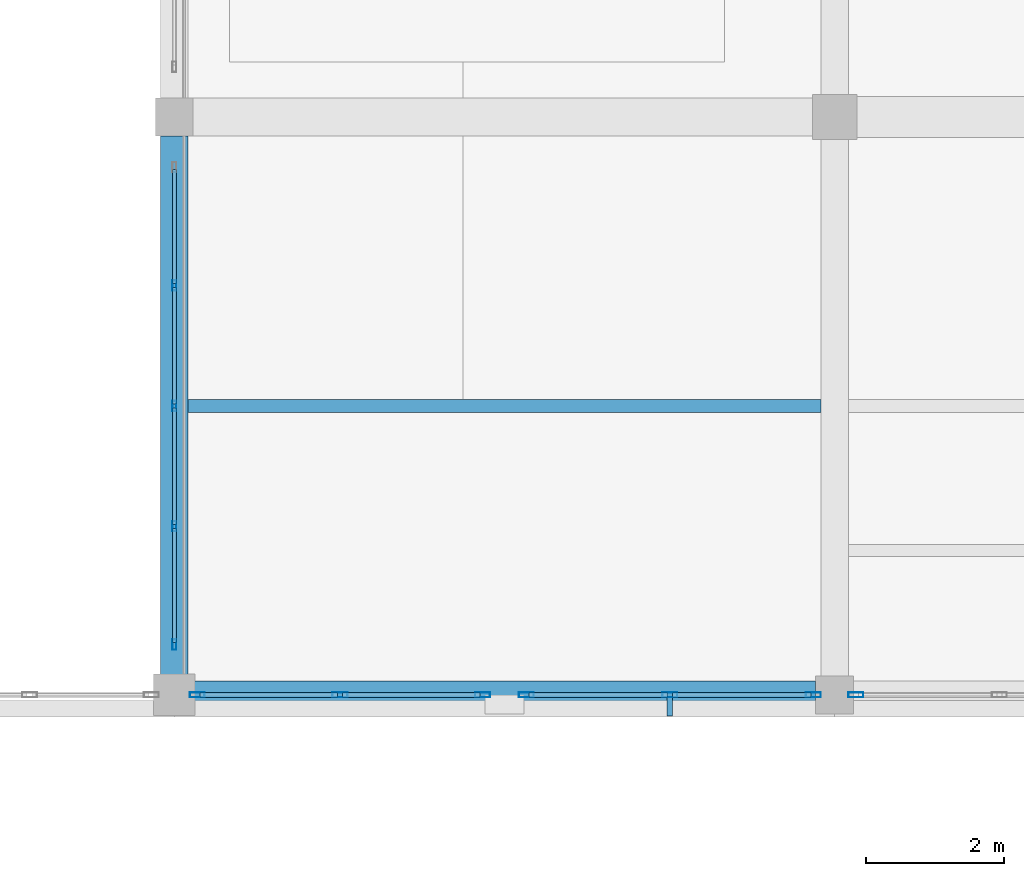
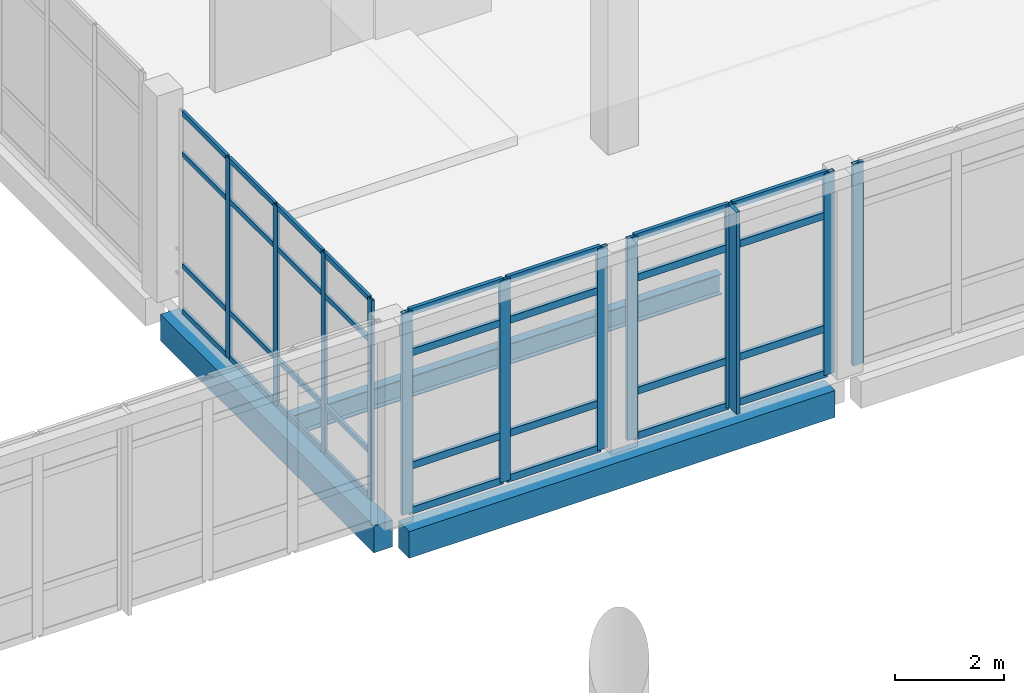
# One storey, part 29 of 88: 44 members, 3 beams, 4 elements without a shape of their own.
"""IFC4 building model written with IfcOpenShell, lengths in metres."""

from ifc_helpers import new_model, si_unit, direction, frame, origin, origin_2d, place, context, subcontext, project, spatial, rectangle, hollow_rectangle, i_section, extrude, material, layer, layer_set, material_profile, profile_set, type_object, element, aggregate, save


model = new_model("IFC4")

# Units and contexts
model_context = context("Model", 3, precision=1e-05, world=origin(), true_north=direction((0.0, 1.0)))
body_context = subcontext(model_context, "Body", "Model", "MODEL_VIEW")
ifc_project = project(units=[si_unit("LENGTHUNIT", "METRE"), si_unit("AREAUNIT", "SQUARE_METRE"), si_unit("VOLUMEUNIT", "CUBIC_METRE"), si_unit("PLANEANGLEUNIT", "RADIAN"), si_unit("MASSUNIT", "GRAM", prefix="KILO")], contexts=[model_context])

# Site, building, storey
site_placement = place(None, origin())
site = spatial("IfcSite", under=ifc_project, at=site_placement, CompositionType="ELEMENT")
building_placement = place(site_placement, origin())
building = spatial("IfcBuilding", under=site, at=building_placement, Name="Lornevale Opera House", CompositionType="ELEMENT")
storey_placement = place(building_placement, frame((0.0, 0.0, 10.199951171875)))
storey = spatial("IfcBuildingStorey", under=building, at=storey_placement, Name="L03", CompositionType="ELEMENT", Elevation=10.199951171875)

# Beams
ifc_material_1 = material(Name="Concrete 35 MPa (CSA A23.1 N)", Category="concrete")
ifc_material_profile_1 = material_profile(ifc_material_1, rectangle(XDim=0.39990234375, YDim=0.60009765625, at=origin_2d()), Name="RC400x600")
ifc_profile_set_1 = profile_set([ifc_material_profile_1], Name="Concrete 35 MPa (CSA A23.1 N)")
beam_type_1 = type_object("IfcBeamType", Name="Concrete Spandrel Beam 400x600", PredefinedType="SPANDREL", material=ifc_profile_set_1)
beam_1_placement = place(storey_placement, frame((96.27490234375, 16.800048828125, -0.579833984375), z_axis=(1.0, 0.0, 0.0), x_axis=(0.0, 1.0, 0.0)))
element("IfcBeam", 1, at=beam_1_placement, inside=storey, type_object=beam_type_1, Name="Concrete Spandrel Beam 400x600 2098", PredefinedType="SPANDREL", context=body_context, shape_type="SweptSolid", body=[
    extrude(rectangle(XDim=0.39990234375, YDim=0.60009765625, at=origin_2d()), origin(), (0.0, 0.0, 1.0), 9.050048828125),
])
beam_2_placement = place(storey_placement, frame((96.0, 17.074951171875, -0.579833984375), z_axis=(0.0, 1.0, 0.0), x_axis=(-1.0, 0.0, 0.0)))
element("IfcBeam", 2, at=beam_2_placement, inside=storey, type_object=beam_type_1, Name="Concrete Spandrel Beam 400x600 2301", PredefinedType="SPANDREL", context=body_context, shape_type="SweptSolid", body=[
    extrude(rectangle(XDim=0.39990234375, YDim=0.60009765625, at=origin_2d()), origin(), (0.0, 0.0, 1.0), 7.85009765625),
])

# Curtain wall, members
ifc_material_2 = material(Name="Anodized Oxide-Green Aluminium Framing", Category="aluminium")
ifc_layer_1 = layer(ifc_material_2, 0.14990234375)
ifc_layer_set_1 = layer_set([ifc_layer_1], Name="Anodized Oxide-Green Aluminium Framing")
curtain_wall_type_1 = type_object("IfcCurtainWallType", Name="North-Light Clerestory Curtain Wall M1600", PredefinedType="NOTDEFINED", material=ifc_layer_set_1)
curtain_wall_1_placement = place(storey_placement, origin())
curtain_wall_1 = element("IfcCurtainWall", 3, at=curtain_wall_1_placement, inside=storey, type_object=curtain_wall_type_1, Name="North-Light Clerestory Curtain Wall M1600 CW-180", PredefinedType="NOTDEFINED")
ifc_material_profile_2 = material_profile(ifc_material_2, hollow_rectangle(XDim=0.06005859375, YDim=0.14990234375, WallThickness=0.00390625, at=origin_2d()), Name="ALU60x150x4")
ifc_profile_set_2 = profile_set([ifc_material_profile_2], Name="Anodized Oxide-Green Aluminium Framing")
member_type_1 = type_object("IfcMemberType", Name="Curtain Wall Mullion 60x150", PredefinedType="MULLION", material=ifc_profile_set_2)
member_1_placement = place(storey_placement, frame((96.0, 22.75, 0.0), z_axis=(0.0, 0.0, 1.0), x_axis=(1.0, 0.0, 0.0)))
member_1 = element("IfcMember", 4, at=member_1_placement, type_object=member_type_1, Name="Curtain Wall Mullion 60x150 CW3773", PredefinedType="MULLION", context=body_context, shape_type="SweptSolid", body=[
    extrude(hollow_rectangle(XDim=0.06005859375, YDim=0.14990234375, WallThickness=0.00390625, at=origin_2d()), origin(), (0.0, 0.0, 1.0), 4.5),
])
member_2_placement = place(storey_placement, frame((96.0, 21.0, 0.0), z_axis=(0.0, 0.0, 1.0), x_axis=(1.0, 0.0, 0.0)))
member_2 = element("IfcMember", 5, at=member_2_placement, type_object=member_type_1, Name="Curtain Wall Mullion 60x150 CW3774", PredefinedType="MULLION", context=body_context, shape_type="SweptSolid", body=[
    extrude(hollow_rectangle(XDim=0.06005859375, YDim=0.14990234375, WallThickness=0.00390625, at=origin_2d()), origin(), (0.0, 0.0, 1.0), 4.5),
])
member_3_placement = place(storey_placement, frame((96.0, 19.25, 0.0), z_axis=(0.0, 0.0, 1.0), x_axis=(1.0, 0.0, 0.0)))
member_3 = element("IfcMember", 6, at=member_3_placement, type_object=member_type_1, Name="Curtain Wall Mullion 60x150 CW3775", PredefinedType="MULLION", context=body_context, shape_type="SweptSolid", body=[
    extrude(hollow_rectangle(XDim=0.06005859375, YDim=0.14990234375, WallThickness=0.00390625, at=origin_2d()), origin(), (0.0, 0.0, 1.0), 4.5),
])
member_4_placement = place(storey_placement, frame((96.0, 17.530029296875, 0.0), z_axis=(0.0, 0.0, 1.0), x_axis=(1.0, 0.0, 0.0)))
member_4 = element("IfcMember", 7, at=member_4_placement, type_object=member_type_1, Name="Curtain Wall Mullion 60x150 CW3776", PredefinedType="MULLION", context=body_context, shape_type="SweptSolid", body=[
    extrude(hollow_rectangle(XDim=0.06005859375, YDim=0.14990234375, WallThickness=0.00390625, at=origin_2d()), origin(), (0.0, 0.0, 1.0), 4.5),
])

ifc_layer_2 = layer(ifc_material_2, 0.219970703125)
ifc_layer_set_2 = layer_set([ifc_layer_2], Name="Anodized Oxide-Green Aluminium Framing")
curtain_wall_type_2 = type_object("IfcCurtainWallType", Name="Winter-Garden Curtain Wall M1900", PredefinedType="NOTDEFINED", material=ifc_layer_set_2)
curtain_wall_2_placement = place(storey_placement, origin())
curtain_wall_2 = element("IfcCurtainWall", 8, at=curtain_wall_2_placement, inside=storey, type_object=curtain_wall_type_2, Name="Winter-Garden Curtain Wall M1900 CW-139", PredefinedType="NOTDEFINED")
ifc_material_profile_3 = material_profile(ifc_material_2, hollow_rectangle(XDim=0.074951171875, YDim=0.219970703125, WallThickness=0.0048828125, at=origin_2d()), Name="ALU75x220x5")
ifc_profile_set_3 = profile_set([ifc_material_profile_3], Name="Anodized Oxide-Green Aluminium Framing")
member_type_2 = type_object("IfcMemberType", Name="Curtain Wall Mullion 75x220", PredefinedType="MULLION", material=ifc_profile_set_3)
member_5_placement = place(storey_placement, frame((105.29150390625, 16.800048828125, 0.0), z_axis=(0.0, 0.0, 1.0), x_axis=(0.0, -1.0, 0.0)))
member_5 = element("IfcMember", 9, at=member_5_placement, type_object=member_type_2, Name="Curtain Wall Mullion 75x220 CW2915", PredefinedType="MULLION", context=body_context, shape_type="SweptSolid", body=[
    extrude(hollow_rectangle(XDim=0.074951171875, YDim=0.219970703125, WallThickness=0.0048828125, at=origin_2d()), origin(), (0.0, 0.0, 1.0), 4.5400390625),
])
member_6_placement = place(storey_placement, frame((103.20458984375, 16.800048828125, 0.0), z_axis=(0.0, 0.0, 1.0), x_axis=(0.0, -1.0, 0.0)))
member_6 = element("IfcMember", 10, at=member_6_placement, type_object=member_type_2, Name="Curtain Wall Mullion 75x220 CW2916", PredefinedType="MULLION", context=body_context, shape_type="SweptSolid", body=[
    extrude(hollow_rectangle(XDim=0.074951171875, YDim=0.219970703125, WallThickness=0.0048828125, at=origin_2d()), origin(), (0.0, 0.0, 1.0), 4.5400390625),
])
member_7_placement = place(storey_placement, frame((101.117431640625, 16.800048828125, 0.0), z_axis=(0.0, 0.0, 1.0), x_axis=(0.0, -1.0, 0.0)))
member_7 = element("IfcMember", 11, at=member_7_placement, type_object=member_type_2, Name="Curtain Wall Mullion 75x220 CW2917", PredefinedType="MULLION", context=body_context, shape_type="SweptSolid", body=[
    extrude(hollow_rectangle(XDim=0.074951171875, YDim=0.219970703125, WallThickness=0.0048828125, at=origin_2d()), origin(), (0.0, 0.0, 1.0), 4.5400390625),
])

curtain_wall_3_placement = place(storey_placement, origin())
curtain_wall_3 = element("IfcCurtainWall", 12, at=curtain_wall_3_placement, inside=storey, type_object=curtain_wall_type_2, Name="Winter-Garden Curtain Wall M1900 CW-140", PredefinedType="NOTDEFINED")
member_8_placement = place(storey_placement, frame((100.482421875, 16.800048828125, 0.0), z_axis=(0.0, 0.0, 1.0), x_axis=(0.0, -1.0, 0.0)))
member_8 = element("IfcMember", 13, at=member_8_placement, type_object=member_type_2, Name="Curtain Wall Mullion 75x220 CW2932", PredefinedType="MULLION", context=body_context, shape_type="SweptSolid", body=[
    extrude(hollow_rectangle(XDim=0.074951171875, YDim=0.219970703125, WallThickness=0.0048828125, at=origin_2d()), origin(), (0.0, 0.0, 1.0), 4.5400390625),
])
member_9_placement = place(storey_placement, frame((98.407958984375, 16.800048828125, 0.0), z_axis=(0.0, 0.0, 1.0), x_axis=(0.0, -1.0, 0.0)))
member_9 = element("IfcMember", 14, at=member_9_placement, type_object=member_type_2, Name="Curtain Wall Mullion 75x220 CW2933", PredefinedType="MULLION", context=body_context, shape_type="SweptSolid", body=[
    extrude(hollow_rectangle(XDim=0.074951171875, YDim=0.219970703125, WallThickness=0.0048828125, at=origin_2d()), origin(), (0.0, 0.0, 1.0), 4.5400390625),
])
member_10_placement = place(storey_placement, frame((96.33349609375, 16.800048828125, 0.0), z_axis=(0.0, 0.0, 1.0), x_axis=(0.0, -1.0, 0.0)))
member_10 = element("IfcMember", 15, at=member_10_placement, type_object=member_type_2, Name="Curtain Wall Mullion 75x220 CW2934", PredefinedType="MULLION", context=body_context, shape_type="SweptSolid", body=[
    extrude(hollow_rectangle(XDim=0.074951171875, YDim=0.219970703125, WallThickness=0.0048828125, at=origin_2d()), origin(), (0.0, 0.0, 1.0), 4.5400390625),
])

# Curtain wall, member
curtain_wall_4_placement = place(storey_placement, origin())
curtain_wall_4 = element("IfcCurtainWall", 16, at=curtain_wall_4_placement, inside=storey, type_object=curtain_wall_type_2, Name="Winter-Garden Curtain Wall M1900 CW-142", PredefinedType="NOTDEFINED")
member_11_placement = place(storey_placement, frame((105.908447265625, 16.800048828125, 0.0), z_axis=(0.0, 0.0, 1.0), x_axis=(0.0, -1.0, 0.0)))
member_11 = element("IfcMember", 17, at=member_11_placement, type_object=member_type_2, Name="Curtain Wall Mullion 75x220 CW2968", PredefinedType="MULLION", context=body_context, shape_type="SweptSolid", body=[
    extrude(hollow_rectangle(XDim=0.074951171875, YDim=0.219970703125, WallThickness=0.0048828125, at=origin_2d()), origin(), (0.0, 0.0, 1.0), 4.5400390625),
])
aggregate(curtain_wall_4, [member_11])

# Member
ifc_material_profile_4 = material_profile(ifc_material_2, hollow_rectangle(XDim=0.06005859375, YDim=0.114990234375, WallThickness=0.00390625, at=origin_2d()), Name="ALU60x115x4")
ifc_profile_set_4 = profile_set([ifc_material_profile_4], Name="Anodized Oxide-Green Aluminium Framing")
member_type_3 = type_object("IfcMemberType", Name="Curtain Wall Transom 60x115", PredefinedType="USERDEFINED", material=ifc_profile_set_4)
member_12_placement = place(storey_placement, frame((96.0, 24.43994140625, 0.030029296875), z_axis=(0.0, -1.0, 0.0), x_axis=(1.0, 0.0, 0.0)))
member_12 = element("IfcMember", 18, at=member_12_placement, type_object=member_type_3, Name="Curtain Wall Transom 60x115 CW3777", ObjectType="TRANSOM", PredefinedType="USERDEFINED", context=body_context, shape_type="SweptSolid", body=[
    extrude(hollow_rectangle(XDim=0.06005859375, YDim=0.114990234375, WallThickness=0.00390625, at=origin_2d()), origin(), (0.0, 0.0, 1.0), 1.659912109375),
])

member_13_placement = place(storey_placement, frame((96.0, 24.43994140625, 1.050048828125), z_axis=(0.0, -1.0, 0.0), x_axis=(1.0, 0.0, 0.0)))
member_13 = element("IfcMember", 19, at=member_13_placement, type_object=member_type_3, Name="Curtain Wall Transom 60x115 CW3778", ObjectType="TRANSOM", PredefinedType="USERDEFINED", context=body_context, shape_type="SweptSolid", body=[
    extrude(hollow_rectangle(XDim=0.06005859375, YDim=0.114990234375, WallThickness=0.00390625, at=origin_2d()), origin(), (0.0, 0.0, 1.0), 1.659912109375),
])

member_14_placement = place(storey_placement, frame((96.0, 24.43994140625, 3.550048828125), z_axis=(0.0, -1.0, 0.0), x_axis=(1.0, 0.0, 0.0)))
member_14 = element("IfcMember", 20, at=member_14_placement, type_object=member_type_3, Name="Curtain Wall Transom 60x115 CW3779", ObjectType="TRANSOM", PredefinedType="USERDEFINED", context=body_context, shape_type="SweptSolid", body=[
    extrude(hollow_rectangle(XDim=0.06005859375, YDim=0.114990234375, WallThickness=0.00390625, at=origin_2d()), origin(), (0.0, 0.0, 1.0), 1.659912109375),
])

member_15_placement = place(storey_placement, frame((96.0, 24.43994140625, 4.469970703125), z_axis=(0.0, -1.0, 0.0), x_axis=(1.0, 0.0, 0.0)))
member_15 = element("IfcMember", 21, at=member_15_placement, type_object=member_type_3, Name="Curtain Wall Transom 60x115 CW3780", ObjectType="TRANSOM", PredefinedType="USERDEFINED", context=body_context, shape_type="SweptSolid", body=[
    extrude(hollow_rectangle(XDim=0.06005859375, YDim=0.114990234375, WallThickness=0.00390625, at=origin_2d()), origin(), (0.0, 0.0, 1.0), 1.659912109375),
])

member_16_placement = place(storey_placement, frame((96.0, 22.719970703125, 0.030029296875), z_axis=(0.0, -1.0, 0.0), x_axis=(1.0, 0.0, 0.0)))
member_16 = element("IfcMember", 22, at=member_16_placement, type_object=member_type_3, Name="Curtain Wall Transom 60x115 CW3784", ObjectType="TRANSOM", PredefinedType="USERDEFINED", context=body_context, shape_type="SweptSolid", body=[
    extrude(hollow_rectangle(XDim=0.06005859375, YDim=0.114990234375, WallThickness=0.00390625, at=origin_2d()), origin(), (0.0, 0.0, 1.0), 1.68994140625),
])

member_17_placement = place(storey_placement, frame((96.0, 22.719970703125, 1.050048828125), z_axis=(0.0, -1.0, 0.0), x_axis=(1.0, 0.0, 0.0)))
member_17 = element("IfcMember", 23, at=member_17_placement, type_object=member_type_3, Name="Curtain Wall Transom 60x115 CW3785", ObjectType="TRANSOM", PredefinedType="USERDEFINED", context=body_context, shape_type="SweptSolid", body=[
    extrude(hollow_rectangle(XDim=0.06005859375, YDim=0.114990234375, WallThickness=0.00390625, at=origin_2d()), origin(), (0.0, 0.0, 1.0), 1.68994140625),
])

member_18_placement = place(storey_placement, frame((96.0, 22.719970703125, 3.550048828125), z_axis=(0.0, -1.0, 0.0), x_axis=(1.0, 0.0, 0.0)))
member_18 = element("IfcMember", 24, at=member_18_placement, type_object=member_type_3, Name="Curtain Wall Transom 60x115 CW3786", ObjectType="TRANSOM", PredefinedType="USERDEFINED", context=body_context, shape_type="SweptSolid", body=[
    extrude(hollow_rectangle(XDim=0.06005859375, YDim=0.114990234375, WallThickness=0.00390625, at=origin_2d()), origin(), (0.0, 0.0, 1.0), 1.68994140625),
])

member_19_placement = place(storey_placement, frame((96.0, 22.719970703125, 4.469970703125), z_axis=(0.0, -1.0, 0.0), x_axis=(1.0, 0.0, 0.0)))
member_19 = element("IfcMember", 25, at=member_19_placement, type_object=member_type_3, Name="Curtain Wall Transom 60x115 CW3787", ObjectType="TRANSOM", PredefinedType="USERDEFINED", context=body_context, shape_type="SweptSolid", body=[
    extrude(hollow_rectangle(XDim=0.06005859375, YDim=0.114990234375, WallThickness=0.00390625, at=origin_2d()), origin(), (0.0, 0.0, 1.0), 1.68994140625),
])

member_20_placement = place(storey_placement, frame((96.0, 20.969970703125, 0.030029296875), z_axis=(0.0, -1.0, 0.0), x_axis=(1.0, 0.0, 0.0)))
member_20 = element("IfcMember", 26, at=member_20_placement, type_object=member_type_3, Name="Curtain Wall Transom 60x115 CW3791", ObjectType="TRANSOM", PredefinedType="USERDEFINED", context=body_context, shape_type="SweptSolid", body=[
    extrude(hollow_rectangle(XDim=0.06005859375, YDim=0.114990234375, WallThickness=0.00390625, at=origin_2d()), origin(), (0.0, 0.0, 1.0), 1.68994140625),
])

member_21_placement = place(storey_placement, frame((96.0, 20.969970703125, 1.050048828125), z_axis=(0.0, -1.0, 0.0), x_axis=(1.0, 0.0, 0.0)))
member_21 = element("IfcMember", 27, at=member_21_placement, type_object=member_type_3, Name="Curtain Wall Transom 60x115 CW3792", ObjectType="TRANSOM", PredefinedType="USERDEFINED", context=body_context, shape_type="SweptSolid", body=[
    extrude(hollow_rectangle(XDim=0.06005859375, YDim=0.114990234375, WallThickness=0.00390625, at=origin_2d()), origin(), (0.0, 0.0, 1.0), 1.68994140625),
])

member_22_placement = place(storey_placement, frame((96.0, 20.969970703125, 3.550048828125), z_axis=(0.0, -1.0, 0.0), x_axis=(1.0, 0.0, 0.0)))
member_22 = element("IfcMember", 28, at=member_22_placement, type_object=member_type_3, Name="Curtain Wall Transom 60x115 CW3793", ObjectType="TRANSOM", PredefinedType="USERDEFINED", context=body_context, shape_type="SweptSolid", body=[
    extrude(hollow_rectangle(XDim=0.06005859375, YDim=0.114990234375, WallThickness=0.00390625, at=origin_2d()), origin(), (0.0, 0.0, 1.0), 1.68994140625),
])

member_23_placement = place(storey_placement, frame((96.0, 20.969970703125, 4.469970703125), z_axis=(0.0, -1.0, 0.0), x_axis=(1.0, 0.0, 0.0)))
member_23 = element("IfcMember", 29, at=member_23_placement, type_object=member_type_3, Name="Curtain Wall Transom 60x115 CW3794", ObjectType="TRANSOM", PredefinedType="USERDEFINED", context=body_context, shape_type="SweptSolid", body=[
    extrude(hollow_rectangle(XDim=0.06005859375, YDim=0.114990234375, WallThickness=0.00390625, at=origin_2d()), origin(), (0.0, 0.0, 1.0), 1.68994140625),
])

member_24_placement = place(storey_placement, frame((96.0, 19.219970703125, 0.030029296875), z_axis=(0.0, -1.0, 0.0), x_axis=(1.0, 0.0, 0.0)))
member_24 = element("IfcMember", 30, at=member_24_placement, type_object=member_type_3, Name="Curtain Wall Transom 60x115 CW3798", ObjectType="TRANSOM", PredefinedType="USERDEFINED", context=body_context, shape_type="SweptSolid", body=[
    extrude(hollow_rectangle(XDim=0.06005859375, YDim=0.114990234375, WallThickness=0.00390625, at=origin_2d()), origin(), (0.0, 0.0, 1.0), 1.659912109375),
])

member_25_placement = place(storey_placement, frame((96.0, 19.219970703125, 1.050048828125), z_axis=(0.0, -1.0, 0.0), x_axis=(1.0, 0.0, 0.0)))
member_25 = element("IfcMember", 31, at=member_25_placement, type_object=member_type_3, Name="Curtain Wall Transom 60x115 CW3799", ObjectType="TRANSOM", PredefinedType="USERDEFINED", context=body_context, shape_type="SweptSolid", body=[
    extrude(hollow_rectangle(XDim=0.06005859375, YDim=0.114990234375, WallThickness=0.00390625, at=origin_2d()), origin(), (0.0, 0.0, 1.0), 1.659912109375),
])

member_26_placement = place(storey_placement, frame((96.0, 19.219970703125, 3.550048828125), z_axis=(0.0, -1.0, 0.0), x_axis=(1.0, 0.0, 0.0)))
member_26 = element("IfcMember", 32, at=member_26_placement, type_object=member_type_3, Name="Curtain Wall Transom 60x115 CW3800", ObjectType="TRANSOM", PredefinedType="USERDEFINED", context=body_context, shape_type="SweptSolid", body=[
    extrude(hollow_rectangle(XDim=0.06005859375, YDim=0.114990234375, WallThickness=0.00390625, at=origin_2d()), origin(), (0.0, 0.0, 1.0), 1.659912109375),
])

member_27_placement = place(storey_placement, frame((96.0, 19.219970703125, 4.469970703125), z_axis=(0.0, -1.0, 0.0), x_axis=(1.0, 0.0, 0.0)))
member_27 = element("IfcMember", 33, at=member_27_placement, type_object=member_type_3, Name="Curtain Wall Transom 60x115 CW3801", ObjectType="TRANSOM", PredefinedType="USERDEFINED", context=body_context, shape_type="SweptSolid", body=[
    extrude(hollow_rectangle(XDim=0.06005859375, YDim=0.114990234375, WallThickness=0.00390625, at=origin_2d()), origin(), (0.0, 0.0, 1.0), 1.659912109375),
])

aggregate(curtain_wall_1, [member_1, member_2, member_3, member_4, member_12, member_13, member_14, member_15, member_16, member_17, member_18, member_19, member_20, member_21, member_22, member_23, member_24, member_25, member_26, member_27])

ifc_material_profile_5 = material_profile(ifc_material_2, hollow_rectangle(XDim=0.074951171875, YDim=0.159912109375, WallThickness=0.0048828125, at=origin_2d()), Name="ALU75x160x5")
ifc_profile_set_5 = profile_set([ifc_material_profile_5], Name="Anodized Oxide-Green Aluminium Framing")
member_type_4 = type_object("IfcMemberType", Name="Curtain Wall Transom 75x160", PredefinedType="USERDEFINED", material=ifc_profile_set_5)
member_28_placement = place(storey_placement, frame((105.25390625, 16.800048828125, 0.03759765625), z_axis=(-1.0, 0.0, 0.0), x_axis=(0.0, -1.0, 0.0)))
member_28 = element("IfcMember", 34, at=member_28_placement, type_object=member_type_4, Name="Curtain Wall Transom 75x160 CW2918", ObjectType="TRANSOM", PredefinedType="USERDEFINED", context=body_context, shape_type="SweptSolid", body=[
    extrude(hollow_rectangle(XDim=0.074951171875, YDim=0.159912109375, WallThickness=0.0048828125, at=origin_2d()), origin(), (0.0, 0.0, 1.0), 2.011962890625),
])

member_29_placement = place(storey_placement, frame((105.25390625, 16.800048828125, 1.050048828125), z_axis=(-1.0, 0.0, 0.0), x_axis=(0.0, -1.0, 0.0)))
member_29 = element("IfcMember", 35, at=member_29_placement, type_object=member_type_4, Name="Curtain Wall Transom 75x160 CW2919", ObjectType="TRANSOM", PredefinedType="USERDEFINED", context=body_context, shape_type="SweptSolid", body=[
    extrude(hollow_rectangle(XDim=0.074951171875, YDim=0.159912109375, WallThickness=0.0048828125, at=origin_2d()), origin(), (0.0, 0.0, 1.0), 2.011962890625),
])

member_30_placement = place(storey_placement, frame((105.25390625, 16.800048828125, 3.590087890625), z_axis=(-1.0, 0.0, 0.0), x_axis=(0.0, -1.0, 0.0)))
member_30 = element("IfcMember", 36, at=member_30_placement, type_object=member_type_4, Name="Curtain Wall Transom 75x160 CW2920", ObjectType="TRANSOM", PredefinedType="USERDEFINED", context=body_context, shape_type="SweptSolid", body=[
    extrude(hollow_rectangle(XDim=0.074951171875, YDim=0.159912109375, WallThickness=0.0048828125, at=origin_2d()), origin(), (0.0, 0.0, 1.0), 2.011962890625),
])

member_31_placement = place(storey_placement, frame((105.25390625, 16.800048828125, 4.50244140625), z_axis=(-1.0, 0.0, 0.0), x_axis=(0.0, -1.0, 0.0)))
member_31 = element("IfcMember", 37, at=member_31_placement, type_object=member_type_4, Name="Curtain Wall Transom 75x160 CW2921", ObjectType="TRANSOM", PredefinedType="USERDEFINED", context=body_context, shape_type="SweptSolid", body=[
    extrude(hollow_rectangle(XDim=0.074951171875, YDim=0.159912109375, WallThickness=0.0048828125, at=origin_2d()), origin(), (0.0, 0.0, 1.0), 2.011962890625),
])

member_32_placement = place(storey_placement, frame((103.1669921875, 16.800048828125, 0.03759765625), z_axis=(-1.0, 0.0, 0.0), x_axis=(0.0, -1.0, 0.0)))
member_32 = element("IfcMember", 38, at=member_32_placement, type_object=member_type_4, Name="Curtain Wall Transom 75x160 CW2925", ObjectType="TRANSOM", PredefinedType="USERDEFINED", context=body_context, shape_type="SweptSolid", body=[
    extrude(hollow_rectangle(XDim=0.074951171875, YDim=0.159912109375, WallThickness=0.0048828125, at=origin_2d()), origin(), (0.0, 0.0, 1.0), 2.011962890625),
])

member_33_placement = place(storey_placement, frame((103.1669921875, 16.800048828125, 1.050048828125), z_axis=(-1.0, 0.0, 0.0), x_axis=(0.0, -1.0, 0.0)))
member_33 = element("IfcMember", 39, at=member_33_placement, type_object=member_type_4, Name="Curtain Wall Transom 75x160 CW2926", ObjectType="TRANSOM", PredefinedType="USERDEFINED", context=body_context, shape_type="SweptSolid", body=[
    extrude(hollow_rectangle(XDim=0.074951171875, YDim=0.159912109375, WallThickness=0.0048828125, at=origin_2d()), origin(), (0.0, 0.0, 1.0), 2.011962890625),
])

member_34_placement = place(storey_placement, frame((103.1669921875, 16.800048828125, 3.590087890625), z_axis=(-1.0, 0.0, 0.0), x_axis=(0.0, -1.0, 0.0)))
member_34 = element("IfcMember", 40, at=member_34_placement, type_object=member_type_4, Name="Curtain Wall Transom 75x160 CW2927", ObjectType="TRANSOM", PredefinedType="USERDEFINED", context=body_context, shape_type="SweptSolid", body=[
    extrude(hollow_rectangle(XDim=0.074951171875, YDim=0.159912109375, WallThickness=0.0048828125, at=origin_2d()), origin(), (0.0, 0.0, 1.0), 2.011962890625),
])

member_35_placement = place(storey_placement, frame((103.1669921875, 16.800048828125, 4.50244140625), z_axis=(-1.0, 0.0, 0.0), x_axis=(0.0, -1.0, 0.0)))
member_35 = element("IfcMember", 41, at=member_35_placement, type_object=member_type_4, Name="Curtain Wall Transom 75x160 CW2928", ObjectType="TRANSOM", PredefinedType="USERDEFINED", context=body_context, shape_type="SweptSolid", body=[
    extrude(hollow_rectangle(XDim=0.074951171875, YDim=0.159912109375, WallThickness=0.0048828125, at=origin_2d()), origin(), (0.0, 0.0, 1.0), 2.011962890625),
])

member_36_placement = place(storey_placement, frame((100.445068359375, 16.800048828125, 0.03759765625), z_axis=(-1.0, 0.0, 0.0), x_axis=(0.0, -1.0, 0.0)))
member_36 = element("IfcMember", 42, at=member_36_placement, type_object=member_type_4, Name="Curtain Wall Transom 75x160 CW2935", ObjectType="TRANSOM", PredefinedType="USERDEFINED", context=body_context, shape_type="SweptSolid", body=[
    extrude(hollow_rectangle(XDim=0.074951171875, YDim=0.159912109375, WallThickness=0.0048828125, at=origin_2d()), origin(), (0.0, 0.0, 1.0), 1.99951171875),
])

member_37_placement = place(storey_placement, frame((100.445068359375, 16.800048828125, 1.050048828125), z_axis=(-1.0, 0.0, 0.0), x_axis=(0.0, -1.0, 0.0)))
member_37 = element("IfcMember", 43, at=member_37_placement, type_object=member_type_4, Name="Curtain Wall Transom 75x160 CW2936", ObjectType="TRANSOM", PredefinedType="USERDEFINED", context=body_context, shape_type="SweptSolid", body=[
    extrude(hollow_rectangle(XDim=0.074951171875, YDim=0.159912109375, WallThickness=0.0048828125, at=origin_2d()), origin(), (0.0, 0.0, 1.0), 1.99951171875),
])

member_38_placement = place(storey_placement, frame((100.445068359375, 16.800048828125, 3.590087890625), z_axis=(-1.0, 0.0, 0.0), x_axis=(0.0, -1.0, 0.0)))
member_38 = element("IfcMember", 44, at=member_38_placement, type_object=member_type_4, Name="Curtain Wall Transom 75x160 CW2937", ObjectType="TRANSOM", PredefinedType="USERDEFINED", context=body_context, shape_type="SweptSolid", body=[
    extrude(hollow_rectangle(XDim=0.074951171875, YDim=0.159912109375, WallThickness=0.0048828125, at=origin_2d()), origin(), (0.0, 0.0, 1.0), 1.99951171875),
])

member_39_placement = place(storey_placement, frame((100.445068359375, 16.800048828125, 4.50244140625), z_axis=(-1.0, 0.0, 0.0), x_axis=(0.0, -1.0, 0.0)))
member_39 = element("IfcMember", 45, at=member_39_placement, type_object=member_type_4, Name="Curtain Wall Transom 75x160 CW2938", ObjectType="TRANSOM", PredefinedType="USERDEFINED", context=body_context, shape_type="SweptSolid", body=[
    extrude(hollow_rectangle(XDim=0.074951171875, YDim=0.159912109375, WallThickness=0.0048828125, at=origin_2d()), origin(), (0.0, 0.0, 1.0), 1.99951171875),
])

member_40_placement = place(storey_placement, frame((98.37060546875, 16.800048828125, 0.03759765625), z_axis=(-1.0, 0.0, 0.0), x_axis=(0.0, -1.0, 0.0)))
member_40 = element("IfcMember", 46, at=member_40_placement, type_object=member_type_4, Name="Curtain Wall Transom 75x160 CW2942", ObjectType="TRANSOM", PredefinedType="USERDEFINED", context=body_context, shape_type="SweptSolid", body=[
    extrude(hollow_rectangle(XDim=0.074951171875, YDim=0.159912109375, WallThickness=0.0048828125, at=origin_2d()), origin(), (0.0, 0.0, 1.0), 1.99951171875),
])

member_41_placement = place(storey_placement, frame((98.37060546875, 16.800048828125, 1.050048828125), z_axis=(-1.0, 0.0, 0.0), x_axis=(0.0, -1.0, 0.0)))
member_41 = element("IfcMember", 47, at=member_41_placement, type_object=member_type_4, Name="Curtain Wall Transom 75x160 CW2943", ObjectType="TRANSOM", PredefinedType="USERDEFINED", context=body_context, shape_type="SweptSolid", body=[
    extrude(hollow_rectangle(XDim=0.074951171875, YDim=0.159912109375, WallThickness=0.0048828125, at=origin_2d()), origin(), (0.0, 0.0, 1.0), 1.99951171875),
])

member_42_placement = place(storey_placement, frame((98.37060546875, 16.800048828125, 3.590087890625), z_axis=(-1.0, 0.0, 0.0), x_axis=(0.0, -1.0, 0.0)))
member_42 = element("IfcMember", 48, at=member_42_placement, type_object=member_type_4, Name="Curtain Wall Transom 75x160 CW2944", ObjectType="TRANSOM", PredefinedType="USERDEFINED", context=body_context, shape_type="SweptSolid", body=[
    extrude(hollow_rectangle(XDim=0.074951171875, YDim=0.159912109375, WallThickness=0.0048828125, at=origin_2d()), origin(), (0.0, 0.0, 1.0), 1.99951171875),
])

member_43_placement = place(storey_placement, frame((98.37060546875, 16.800048828125, 4.50244140625), z_axis=(-1.0, 0.0, 0.0), x_axis=(0.0, -1.0, 0.0)))
member_43 = element("IfcMember", 49, at=member_43_placement, type_object=member_type_4, Name="Curtain Wall Transom 75x160 CW2945", ObjectType="TRANSOM", PredefinedType="USERDEFINED", context=body_context, shape_type="SweptSolid", body=[
    extrude(hollow_rectangle(XDim=0.074951171875, YDim=0.159912109375, WallThickness=0.0048828125, at=origin_2d()), origin(), (0.0, 0.0, 1.0), 1.99951171875),
])

aggregate(curtain_wall_3, [member_8, member_9, member_10, member_36, member_37, member_38, member_39, member_40, member_41, member_42, member_43])

ifc_material_3 = material(Name="Architectural Bronze Solar Louvre Alloy", Category="metal")
ifc_material_profile_6 = material_profile(ifc_material_3, rectangle(XDim=0.080078125, YDim=0.360107421875, at=origin_2d()), Name="FIN80x360")
ifc_profile_set_6 = profile_set([ifc_material_profile_6], Name="Architectural Bronze Solar Louvre Alloy")
member_type_5 = type_object("IfcMemberType", Name="Solar Shading Fin 80x360", PredefinedType="USERDEFINED", material=ifc_profile_set_6)
member_44_placement = place(storey_placement, frame((103.20458984375, 16.674072265625, 0.0), z_axis=(0.0, 0.0, 1.0), x_axis=(-1.0, 0.0, 0.0)))
member_44 = element("IfcMember", 50, at=member_44_placement, type_object=member_type_5, Name="Solar Shading Fin 80x360 FIN0058", ObjectType="SOLAR FIN", PredefinedType="USERDEFINED", context=body_context, shape_type="SweptSolid", body=[
    extrude(rectangle(XDim=0.080078125, YDim=0.360107421875, at=origin_2d()), origin(), (0.0, 0.0, 1.0), 4.5400390625),
])

aggregate(curtain_wall_2, [member_5, member_6, member_7, member_28, member_29, member_30, member_31, member_32, member_33, member_34, member_35, member_44])

# Beam
ifc_material_4 = material(Name="Structural Steel CSA G40.21 Grade 350W (350 MPa)", Category="steel")
ifc_material_profile_7 = material_profile(ifc_material_4, i_section(OverallWidth=0.19189453125, OverallDepth=0.462890625, WebThickness=0.010498046875, FlangeThickness=0.017578125, at=origin_2d()), Name="W460x89")
ifc_profile_set_7 = profile_set([ifc_material_profile_7], Name="Structural Steel CSA G40.21 Grade 350W (350 MPa)")
beam_type_2 = type_object("IfcBeamType", Name="Steel Floor Joist W460x89", PredefinedType="JOIST", material=ifc_profile_set_7)
beam_3_placement = place(storey_placement, frame((96.199951171875, 21.0, -0.5263671875), z_axis=(1.0, 0.0, 0.0), x_axis=(0.0, 1.0, 0.0)))
element("IfcBeam", 51, at=beam_3_placement, inside=storey, type_object=beam_type_2, Name="Steel Floor Joist W460x89 2416", PredefinedType="JOIST", context=body_context, shape_type="SweptSolid", body=[
    extrude(i_section(OverallWidth=0.19189453125, OverallDepth=0.462890625, WebThickness=0.010498046875, FlangeThickness=0.017578125, at=origin_2d()), origin(), (0.0, 0.0, 1.0), 9.199951171875),
])

save(model, "model.ifc")
